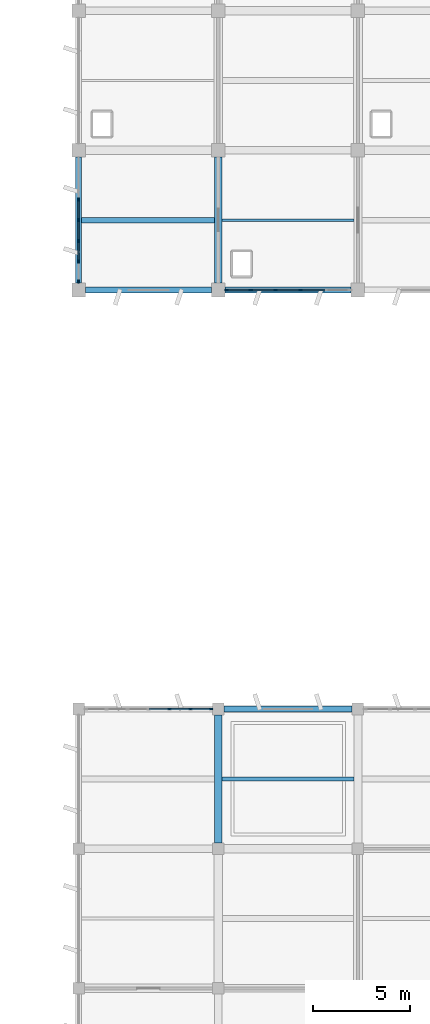
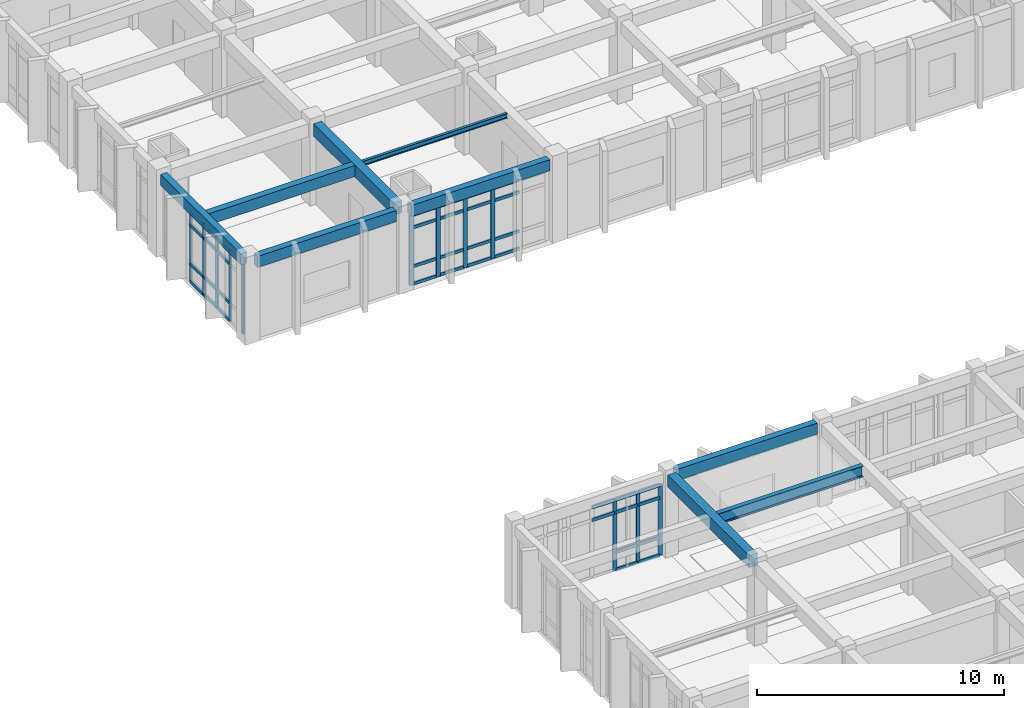
# One storey, part 10 of 70: 52 members, 7 beams, 3 elements without a shape of their own.
"""IFC4 building model written with IfcOpenShell, lengths in metres."""

from ifc_helpers import new_model, si_unit, direction, frame, origin, origin_2d, place, context, subcontext, project, spatial, rectangle, i_section, extrude, material, layer, layer_set, material_profile, profile_set, type_object, element, aggregate, save


model = new_model("IFC4")

# Units and contexts
model_context = context("Model", 3, precision=1e-05, world=origin(), true_north=direction((0.0, 1.0)))
body_context = subcontext(model_context, "Body", "Model", "MODEL_VIEW")
ifc_project = project(units=[si_unit("LENGTHUNIT", "METRE"), si_unit("AREAUNIT", "SQUARE_METRE"), si_unit("VOLUMEUNIT", "CUBIC_METRE"), si_unit("PLANEANGLEUNIT", "RADIAN"), si_unit("MASSUNIT", "GRAM", prefix="KILO")], contexts=[model_context])

# Site, building, storey
site_placement = place(None, origin())
site = spatial("IfcSite", under=ifc_project, at=site_placement, CompositionType="ELEMENT")
building_placement = place(site_placement, origin())
building = spatial("IfcBuilding", under=site, at=building_placement, Name="Kavelor Marine Aquarium", CompositionType="ELEMENT")
storey_placement = place(building_placement, frame((0.0, 0.0, 9.179931640625)))
storey = spatial("IfcBuildingStorey", under=building, at=storey_placement, Name="L02", CompositionType="ELEMENT", Elevation=9.179931640625)

# Beams
ifc_material_1 = material(Name="Concrete C40/50", Category="concrete")
ifc_material_profile_1 = material_profile(ifc_material_1, rectangle(XDim=0.39990234375, YDim=0.60009765625, at=origin_2d()), Name="RC-BM 400x600")
ifc_profile_set_1 = profile_set([ifc_material_profile_1], Name="Concrete C40/50")
beam_type_1 = type_object("IfcBeamType", Name="BM-B4", PredefinedType="BEAM", material=ifc_profile_set_1)
beam_1_placement = place(storey_placement, frame((125.60009765625, 24.699951171875, 3.780029296875), z_axis=(0.0, 1.0, 0.0), x_axis=(-1.0, 0.0, 0.0)))
element("IfcBeam", 1, at=beam_1_placement, inside=storey, type_object=beam_type_1, Name="bm:y:L02:L03:17_03", PredefinedType="BEAM", context=body_context, shape_type="SweptSolid", body=[
    extrude(rectangle(XDim=0.39990234375, YDim=0.60009765625, at=origin_2d()), origin(), (0.0, 0.0, 1.0), 6.60009765625),
])
beam_2_placement = place(storey_placement, frame((125.60009765625, 53.550048828125, 3.739990234375), z_axis=(0.0, 1.0, 0.0), x_axis=(-1.0, 0.0, 0.0)))
element("IfcBeam", 2, at=beam_2_placement, inside=storey, type_object=beam_type_1, Name="bm:y:L02:L03:17_07", PredefinedType="BEAM", context=body_context, shape_type="SweptSolid", body=[
    extrude(rectangle(XDim=0.39990234375, YDim=0.60009765625, at=origin_2d()), origin(), (0.0, 0.0, 1.0), 6.5),
])
ifc_material_2 = material(Name="Concrete C40/50", Category="concrete")
ifc_material_profile_2 = material_profile(ifc_material_2, rectangle(XDim=0.300048828125, YDim=0.550048828125, at=origin_2d()), Name="RC-JS 300x550")
ifc_profile_set_2 = profile_set([ifc_material_profile_2], Name="Concrete C40/50")
beam_type_2 = type_object("IfcBeamType", Name="BM-JS2", PredefinedType="JOIST", material=ifc_profile_set_2)
beam_3_placement = place(storey_placement, frame((118.550048828125, 56.800048828125, 3.76513671875), z_axis=(1.0, 0.0, 0.0), x_axis=(0.0, 1.0, 0.0)))
element("IfcBeam", 3, at=beam_3_placement, inside=storey, type_object=beam_type_2, Name="js:L02:L03:16_07", PredefinedType="JOIST", context=body_context, shape_type="SweptSolid", body=[
    extrude(rectangle(XDim=0.300048828125, YDim=0.550048828125, at=origin_2d()), origin(), (0.0, 0.0, 1.0), 6.849853515625),
])
ifc_material_3 = material(Name="Concrete C40/50", Category="concrete")
ifc_material_profile_3 = material_profile(ifc_material_3, rectangle(XDim=0.300048828125, YDim=0.550048828125, at=origin_2d()), Name="RC-SP 300x550")
ifc_profile_set_3 = profile_set([ifc_material_profile_3], Name="Concrete C40/50")
beam_type_3 = type_object("IfcBeamType", Name="BM-SP2", PredefinedType="SPANDREL", material=ifc_profile_set_3)
beam_4_placement = place(storey_placement, frame((118.75, 53.199951171875, 3.76513671875), z_axis=(1.0, 0.0, 0.0), x_axis=(0.0, 1.0, 0.0)))
element("IfcBeam", 4, at=beam_4_placement, inside=storey, type_object=beam_type_3, Name="bm:x:L02:L03:16_07", PredefinedType="SPANDREL", context=body_context, shape_type="SweptSolid", body=[
    extrude(rectangle(XDim=0.300048828125, YDim=0.550048828125, at=origin_2d()), origin(), (0.0, 0.0, 1.0), 6.5),
])
beam_5_placement = place(storey_placement, frame((125.89990234375, 31.60009765625, 3.80517578125), z_axis=(1.0, 0.0, 0.0), x_axis=(0.0, 1.0, 0.0)))
element("IfcBeam", 5, at=beam_5_placement, inside=storey, type_object=beam_type_3, Name="bm:x:L02:L03:17_04", PredefinedType="SPANDREL", context=body_context, shape_type="SweptSolid", body=[
    extrude(rectangle(XDim=0.300048828125, YDim=0.550048828125, at=origin_2d()), origin(), (0.0, 0.0, 1.0), 6.60009765625),
])
for number, where, z_axis, x_axis, name in (
    (6, (125.949951171875, 53.199951171875, 3.76513671875), (1.0, 0.0, 0.0), (0.0, 1.0, 0.0), "bm:x:L02:L03:17_07"),
    (7, (118.39990234375, 53.550048828125, 3.76513671875), (0.0, 1.0, 0.0), (-1.0, 0.0, 0.0), "bm:y:L02:L03:16_07"),
):
    element("IfcBeam", number, at=place(storey_placement, frame(where, z_axis=z_axis, x_axis=x_axis)), inside=storey, type_object=beam_type_3, Name=name, PredefinedType="SPANDREL", context=body_context, shape_type="SweptSolid", body=[
        extrude(rectangle(XDim=0.300048828125, YDim=0.550048828125, at=origin_2d()), origin(), (0.0, 0.0, 1.0), 6.5),
    ])

# Curtain wall, members
ifc_material_4 = material(Name="Thermally Broken Aluminium and Low-E Glass", Category="aluminium")
ifc_layer_1 = layer(ifc_material_4, 0.172119140625)
ifc_layer_set_1 = layer_set([ifc_layer_1], Name="CW-SYS4")
curtain_wall_type_1 = type_object("IfcCurtainWallType", Name="CW-SYS4", PredefinedType="USERDEFINED", material=ifc_layer_set_1)
curtain_wall_1_placement = place(storey_placement, origin())
curtain_wall_1 = element("IfcCurtainWall", 8, at=curtain_wall_1_placement, inside=storey, type_object=curtain_wall_type_1, Name="cw:y:L02:16_07", ObjectType="Curtain Wall", PredefinedType="USERDEFINED")
ifc_material_5 = material(Name="Anodised Aluminium Alloy 6063-T6", Category="aluminium")
ifc_material_profile_4 = material_profile(ifc_material_5, rectangle(XDim=0.074951171875, YDim=0.179931640625, at=origin_2d()), Name="CW-MUL 75x180")
ifc_profile_set_4 = profile_set([ifc_material_profile_4], Name="Anodised Aluminium Alloy 6063-T6")
member_type_1 = type_object("IfcMemberType", Name="CWM-1", PredefinedType="MULLION", material=ifc_profile_set_4)
member_1_placement = place(storey_placement, frame((118.39990234375, 57.868408203125, 0.0), z_axis=(0.0, 0.0, 1.0), x_axis=(1.0, 0.0, 0.0)))
member_1 = element("IfcMember", 9, at=member_1_placement, type_object=member_type_1, Name="CW04 mullion 3", PredefinedType="MULLION", context=body_context, shape_type="SweptSolid", body=[
    extrude(rectangle(XDim=0.074951171875, YDim=0.179931640625, at=origin_2d()), origin(), (0.0, 0.0, 1.0), 3.47998046875),
])
member_2_placement = place(storey_placement, frame((118.39990234375, 56.800048828125, 0.0), z_axis=(0.0, 0.0, 1.0), x_axis=(1.0, 0.0, 0.0)))
member_2 = element("IfcMember", 10, at=member_2_placement, type_object=member_type_1, Name="CW04 mullion 4", PredefinedType="MULLION", context=body_context, shape_type="SweptSolid", body=[
    extrude(rectangle(XDim=0.074951171875, YDim=0.179931640625, at=origin_2d()), origin(), (0.0, 0.0, 1.0), 3.47998046875),
])
member_3_placement = place(storey_placement, frame((118.39990234375, 55.731689453125, 0.0), z_axis=(0.0, 0.0, 1.0), x_axis=(1.0, 0.0, 0.0)))
member_3 = element("IfcMember", 11, at=member_3_placement, type_object=member_type_1, Name="CW04 mullion 5", PredefinedType="MULLION", context=body_context, shape_type="SweptSolid", body=[
    extrude(rectangle(XDim=0.074951171875, YDim=0.179931640625, at=origin_2d()), origin(), (0.0, 0.0, 1.0), 3.47998046875),
])
member_4_placement = place(storey_placement, frame((118.39990234375, 54.663330078125, 0.0), z_axis=(0.0, 0.0, 1.0), x_axis=(1.0, 0.0, 0.0)))
member_4 = element("IfcMember", 12, at=member_4_placement, type_object=member_type_1, Name="CW04 mullion 6", PredefinedType="MULLION", context=body_context, shape_type="SweptSolid", body=[
    extrude(rectangle(XDim=0.074951171875, YDim=0.179931640625, at=origin_2d()), origin(), (0.0, 0.0, 1.0), 3.47998046875),
])
member_5_placement = place(storey_placement, frame((118.39990234375, 53.632568359375, 0.0), z_axis=(0.0, 0.0, 1.0), x_axis=(1.0, 0.0, 0.0)))
member_5 = element("IfcMember", 13, at=member_5_placement, type_object=member_type_1, Name="CW04 mullion 7", PredefinedType="MULLION", context=body_context, shape_type="SweptSolid", body=[
    extrude(rectangle(XDim=0.074951171875, YDim=0.179931640625, at=origin_2d()), origin(), (0.0, 0.0, 1.0), 3.47998046875),
])

ifc_material_6 = material(Name="Thermally Broken Aluminium and Low-E Glass", Category="aluminium")
ifc_layer_2 = layer(ifc_material_6, 0.179931640625)
ifc_layer_set_2 = layer_set([ifc_layer_2], Name="CW-SYS5")
curtain_wall_type_2 = type_object("IfcCurtainWallType", Name="CW-SYS5", PredefinedType="USERDEFINED", material=ifc_layer_set_2)
curtain_wall_2_placement = place(storey_placement, origin())
curtain_wall_2 = element("IfcCurtainWall", 14, at=curtain_wall_2_placement, inside=storey, type_object=curtain_wall_type_2, Name="cw:x:L02:16_04", ObjectType="Curtain Wall", PredefinedType="USERDEFINED")
ifc_material_7 = material(Name="Anodised Aluminium Alloy 6063-T6", Category="aluminium")
ifc_material_profile_5 = material_profile(ifc_material_7, rectangle(XDim=0.080078125, YDim=0.18505859375, at=origin_2d()), Name="CW-MUL 80x185")
ifc_profile_set_5 = profile_set([ifc_material_profile_5], Name="Anodised Aluminium Alloy 6063-T6")
member_type_2 = type_object("IfcMemberType", Name="CWM-2", PredefinedType="MULLION", material=ifc_profile_set_5)
member_6_placement = place(storey_placement, frame((123.0849609375, 31.60009765625, 0.0), z_axis=(0.0, 0.0, 1.0), x_axis=(0.0, 1.0, 0.0)))
member_6 = element("IfcMember", 15, at=member_6_placement, type_object=member_type_2, Name="CW05 mullion 5", PredefinedType="MULLION", context=body_context, shape_type="SweptSolid", body=[
    extrude(rectangle(XDim=0.080078125, YDim=0.18505859375, at=origin_2d()), origin(), (0.0, 0.0, 1.0), 3.52001953125),
])
member_7_placement = place(storey_placement, frame((124.169921875, 31.60009765625, 0.0), z_axis=(0.0, 0.0, 1.0), x_axis=(0.0, 1.0, 0.0)))
member_7 = element("IfcMember", 16, at=member_7_placement, type_object=member_type_2, Name="CW05 mullion 6", PredefinedType="MULLION", context=body_context, shape_type="SweptSolid", body=[
    extrude(rectangle(XDim=0.080078125, YDim=0.18505859375, at=origin_2d()), origin(), (0.0, 0.0, 1.0), 3.52001953125),
])
member_8_placement = place(storey_placement, frame((125.222412109375, 31.60009765625, 0.0), z_axis=(0.0, 0.0, 1.0), x_axis=(0.0, 1.0, 0.0)))
member_8 = element("IfcMember", 17, at=member_8_placement, type_object=member_type_2, Name="CW05 mullion 7", PredefinedType="MULLION", context=body_context, shape_type="SweptSolid", body=[
    extrude(rectangle(XDim=0.080078125, YDim=0.18505859375, at=origin_2d()), origin(), (0.0, 0.0, 1.0), 3.52001953125),
])

ifc_material_8 = material(Name="Thermally Broken Aluminium and Low-E Glass", Category="aluminium")
ifc_layer_3 = layer(ifc_material_8, 0.18798828125)
ifc_layer_set_3 = layer_set([ifc_layer_3], Name="CW-SYS6")
curtain_wall_type_3 = type_object("IfcCurtainWallType", Name="CW-SYS6", PredefinedType="USERDEFINED", material=ifc_layer_set_3)
curtain_wall_3_placement = place(storey_placement, origin())
curtain_wall_3 = element("IfcCurtainWall", 18, at=curtain_wall_3_placement, inside=storey, type_object=curtain_wall_type_3, Name="cw:x:L02:17_07", ObjectType="Curtain Wall", PredefinedType="USERDEFINED")
ifc_material_9 = material(Name="Anodised Aluminium Alloy 6063-T6", Category="aluminium")
ifc_material_profile_6 = material_profile(ifc_material_9, rectangle(XDim=0.0849609375, YDim=0.18994140625, at=origin_2d()), Name="CW-MUL 85x190")
ifc_profile_set_6 = profile_set([ifc_material_profile_6], Name="Anodised Aluminium Alloy 6063-T6")
member_type_3 = type_object("IfcMemberType", Name="CWM-3", PredefinedType="MULLION", material=ifc_profile_set_6)
member_9_placement = place(storey_placement, frame((129.841064453125, 53.199951171875, 0.0), z_axis=(0.0, 0.0, 1.0), x_axis=(0.0, -1.0, 0.0)))
member_9 = element("IfcMember", 19, at=member_9_placement, type_object=member_type_3, Name="CW06 mullion 3", PredefinedType="MULLION", context=body_context, shape_type="SweptSolid", body=[
    extrude(rectangle(XDim=0.0849609375, YDim=0.18994140625, at=origin_2d()), origin(), (0.0, 0.0, 1.0), 3.47998046875),
])
member_10_placement = place(storey_placement, frame((128.55908203125, 53.199951171875, 0.0), z_axis=(0.0, 0.0, 1.0), x_axis=(0.0, -1.0, 0.0)))
member_10 = element("IfcMember", 20, at=member_10_placement, type_object=member_type_3, Name="CW06 mullion 4", PredefinedType="MULLION", context=body_context, shape_type="SweptSolid", body=[
    extrude(rectangle(XDim=0.0849609375, YDim=0.18994140625, at=origin_2d()), origin(), (0.0, 0.0, 1.0), 3.47998046875),
])
member_11_placement = place(storey_placement, frame((127.277099609375, 53.199951171875, 0.0), z_axis=(0.0, 0.0, 1.0), x_axis=(0.0, -1.0, 0.0)))
member_11 = element("IfcMember", 21, at=member_11_placement, type_object=member_type_3, Name="CW06 mullion 5", PredefinedType="MULLION", context=body_context, shape_type="SweptSolid", body=[
    extrude(rectangle(XDim=0.0849609375, YDim=0.18994140625, at=origin_2d()), origin(), (0.0, 0.0, 1.0), 3.47998046875),
])
member_12_placement = place(storey_placement, frame((126.02490234375, 53.199951171875, 0.0), z_axis=(0.0, 0.0, 1.0), x_axis=(0.0, -1.0, 0.0)))
member_12 = element("IfcMember", 22, at=member_12_placement, type_object=member_type_3, Name="CW06 mullion 6", PredefinedType="MULLION", context=body_context, shape_type="SweptSolid", body=[
    extrude(rectangle(XDim=0.0849609375, YDim=0.18994140625, at=origin_2d()), origin(), (0.0, 0.0, 1.0), 3.47998046875),
])
ifc_material_10 = material(Name="Anodised Aluminium Alloy 6063-T6", Category="aluminium")
ifc_material_profile_7 = material_profile(ifc_material_10, rectangle(XDim=0.074951171875, YDim=0.14990234375, at=origin_2d()), Name="CW-TRN 75x150")
ifc_profile_set_7 = profile_set([ifc_material_profile_7], Name="Anodised Aluminium Alloy 6063-T6")
member_type_4 = type_object("IfcMemberType", Name="CWT-1", PredefinedType="USERDEFINED", material=ifc_profile_set_7)
member_13_placement = place(storey_placement, frame((131.093017578125, 53.199951171875, 0.03759765625), z_axis=(-1.0, 0.0, 0.0), x_axis=(0.0, -1.0, 0.0)))
member_13 = element("IfcMember", 23, at=member_13_placement, type_object=member_type_4, Name="CW06 transom 2.1", ObjectType="TRANSOM", PredefinedType="USERDEFINED", context=body_context, shape_type="SweptSolid", body=[
    extrude(rectangle(XDim=0.074951171875, YDim=0.14990234375, at=origin_2d()), origin(), (0.0, 0.0, 1.0), 1.221923828125),
])
member_14_placement = place(storey_placement, frame((131.093017578125, 53.199951171875, 0.900146484375), z_axis=(-1.0, 0.0, 0.0), x_axis=(0.0, -1.0, 0.0)))
member_14 = element("IfcMember", 24, at=member_14_placement, type_object=member_type_4, Name="CW06 transom 2.2", ObjectType="TRANSOM", PredefinedType="USERDEFINED", context=body_context, shape_type="SweptSolid", body=[
    extrude(rectangle(XDim=0.074951171875, YDim=0.14990234375, at=origin_2d()), origin(), (0.0, 0.0, 1.0), 1.221923828125),
])
member_15_placement = place(storey_placement, frame((131.093017578125, 53.199951171875, 2.830078125), z_axis=(-1.0, 0.0, 0.0), x_axis=(0.0, -1.0, 0.0)))
member_15 = element("IfcMember", 25, at=member_15_placement, type_object=member_type_4, Name="CW06 transom 2.3", ObjectType="TRANSOM", PredefinedType="USERDEFINED", context=body_context, shape_type="SweptSolid", body=[
    extrude(rectangle(XDim=0.074951171875, YDim=0.14990234375, at=origin_2d()), origin(), (0.0, 0.0, 1.0), 1.221923828125),
])
member_16_placement = place(storey_placement, frame((131.093017578125, 53.199951171875, 3.442626953125), z_axis=(-1.0, 0.0, 0.0), x_axis=(0.0, -1.0, 0.0)))
member_16 = element("IfcMember", 26, at=member_16_placement, type_object=member_type_4, Name="CW06 transom 2.4", ObjectType="TRANSOM", PredefinedType="USERDEFINED", context=body_context, shape_type="SweptSolid", body=[
    extrude(rectangle(XDim=0.074951171875, YDim=0.14990234375, at=origin_2d()), origin(), (0.0, 0.0, 1.0), 1.221923828125),
])
member_17_placement = place(storey_placement, frame((129.81103515625, 53.199951171875, 0.03759765625), z_axis=(-1.0, 0.0, 0.0), x_axis=(0.0, -1.0, 0.0)))
member_17 = element("IfcMember", 27, at=member_17_placement, type_object=member_type_4, Name="CW06 transom 3.1", ObjectType="TRANSOM", PredefinedType="USERDEFINED", context=body_context, shape_type="SweptSolid", body=[
    extrude(rectangle(XDim=0.074951171875, YDim=0.14990234375, at=origin_2d()), origin(), (0.0, 0.0, 1.0), 1.221923828125),
])
member_18_placement = place(storey_placement, frame((129.81103515625, 53.199951171875, 0.900146484375), z_axis=(-1.0, 0.0, 0.0), x_axis=(0.0, -1.0, 0.0)))
member_18 = element("IfcMember", 28, at=member_18_placement, type_object=member_type_4, Name="CW06 transom 3.2", ObjectType="TRANSOM", PredefinedType="USERDEFINED", context=body_context, shape_type="SweptSolid", body=[
    extrude(rectangle(XDim=0.074951171875, YDim=0.14990234375, at=origin_2d()), origin(), (0.0, 0.0, 1.0), 1.221923828125),
])
member_19_placement = place(storey_placement, frame((129.81103515625, 53.199951171875, 2.830078125), z_axis=(-1.0, 0.0, 0.0), x_axis=(0.0, -1.0, 0.0)))
member_19 = element("IfcMember", 29, at=member_19_placement, type_object=member_type_4, Name="CW06 transom 3.3", ObjectType="TRANSOM", PredefinedType="USERDEFINED", context=body_context, shape_type="SweptSolid", body=[
    extrude(rectangle(XDim=0.074951171875, YDim=0.14990234375, at=origin_2d()), origin(), (0.0, 0.0, 1.0), 1.221923828125),
])
member_20_placement = place(storey_placement, frame((129.81103515625, 53.199951171875, 3.442626953125), z_axis=(-1.0, 0.0, 0.0), x_axis=(0.0, -1.0, 0.0)))
member_20 = element("IfcMember", 30, at=member_20_placement, type_object=member_type_4, Name="CW06 transom 3.4", ObjectType="TRANSOM", PredefinedType="USERDEFINED", context=body_context, shape_type="SweptSolid", body=[
    extrude(rectangle(XDim=0.074951171875, YDim=0.14990234375, at=origin_2d()), origin(), (0.0, 0.0, 1.0), 1.221923828125),
])
member_21_placement = place(storey_placement, frame((128.529052734375, 53.199951171875, 0.03759765625), z_axis=(-1.0, 0.0, 0.0), x_axis=(0.0, -1.0, 0.0)))
member_21 = element("IfcMember", 31, at=member_21_placement, type_object=member_type_4, Name="CW06 transom 4.1", ObjectType="TRANSOM", PredefinedType="USERDEFINED", context=body_context, shape_type="SweptSolid", body=[
    extrude(rectangle(XDim=0.074951171875, YDim=0.14990234375, at=origin_2d()), origin(), (0.0, 0.0, 1.0), 1.22216796875),
])
member_22_placement = place(storey_placement, frame((128.529052734375, 53.199951171875, 0.900146484375), z_axis=(-1.0, 0.0, 0.0), x_axis=(0.0, -1.0, 0.0)))
member_22 = element("IfcMember", 32, at=member_22_placement, type_object=member_type_4, Name="CW06 transom 4.2", ObjectType="TRANSOM", PredefinedType="USERDEFINED", context=body_context, shape_type="SweptSolid", body=[
    extrude(rectangle(XDim=0.074951171875, YDim=0.14990234375, at=origin_2d()), origin(), (0.0, 0.0, 1.0), 1.22216796875),
])
member_23_placement = place(storey_placement, frame((128.529052734375, 53.199951171875, 2.830078125), z_axis=(-1.0, 0.0, 0.0), x_axis=(0.0, -1.0, 0.0)))
member_23 = element("IfcMember", 33, at=member_23_placement, type_object=member_type_4, Name="CW06 transom 4.3", ObjectType="TRANSOM", PredefinedType="USERDEFINED", context=body_context, shape_type="SweptSolid", body=[
    extrude(rectangle(XDim=0.074951171875, YDim=0.14990234375, at=origin_2d()), origin(), (0.0, 0.0, 1.0), 1.22216796875),
])
member_24_placement = place(storey_placement, frame((128.529052734375, 53.199951171875, 3.442626953125), z_axis=(-1.0, 0.0, 0.0), x_axis=(0.0, -1.0, 0.0)))
member_24 = element("IfcMember", 34, at=member_24_placement, type_object=member_type_4, Name="CW06 transom 4.4", ObjectType="TRANSOM", PredefinedType="USERDEFINED", context=body_context, shape_type="SweptSolid", body=[
    extrude(rectangle(XDim=0.074951171875, YDim=0.14990234375, at=origin_2d()), origin(), (0.0, 0.0, 1.0), 1.22216796875),
])
member_25_placement = place(storey_placement, frame((127.2470703125, 53.199951171875, 0.03759765625), z_axis=(-1.0, 0.0, 0.0), x_axis=(0.0, -1.0, 0.0)))
member_25 = element("IfcMember", 35, at=member_25_placement, type_object=member_type_4, Name="CW06 transom 5.1", ObjectType="TRANSOM", PredefinedType="USERDEFINED", context=body_context, shape_type="SweptSolid", body=[
    extrude(rectangle(XDim=0.074951171875, YDim=0.14990234375, at=origin_2d()), origin(), (0.0, 0.0, 1.0), 1.192138671875),
])
member_26_placement = place(storey_placement, frame((127.2470703125, 53.199951171875, 0.900146484375), z_axis=(-1.0, 0.0, 0.0), x_axis=(0.0, -1.0, 0.0)))
member_26 = element("IfcMember", 36, at=member_26_placement, type_object=member_type_4, Name="CW06 transom 5.2", ObjectType="TRANSOM", PredefinedType="USERDEFINED", context=body_context, shape_type="SweptSolid", body=[
    extrude(rectangle(XDim=0.074951171875, YDim=0.14990234375, at=origin_2d()), origin(), (0.0, 0.0, 1.0), 1.192138671875),
])
member_27_placement = place(storey_placement, frame((127.2470703125, 53.199951171875, 2.830078125), z_axis=(-1.0, 0.0, 0.0), x_axis=(0.0, -1.0, 0.0)))
member_27 = element("IfcMember", 37, at=member_27_placement, type_object=member_type_4, Name="CW06 transom 5.3", ObjectType="TRANSOM", PredefinedType="USERDEFINED", context=body_context, shape_type="SweptSolid", body=[
    extrude(rectangle(XDim=0.074951171875, YDim=0.14990234375, at=origin_2d()), origin(), (0.0, 0.0, 1.0), 1.192138671875),
])
member_28_placement = place(storey_placement, frame((127.2470703125, 53.199951171875, 3.442626953125), z_axis=(-1.0, 0.0, 0.0), x_axis=(0.0, -1.0, 0.0)))
member_28 = element("IfcMember", 38, at=member_28_placement, type_object=member_type_4, Name="CW06 transom 5.4", ObjectType="TRANSOM", PredefinedType="USERDEFINED", context=body_context, shape_type="SweptSolid", body=[
    extrude(rectangle(XDim=0.074951171875, YDim=0.14990234375, at=origin_2d()), origin(), (0.0, 0.0, 1.0), 1.192138671875),
])
aggregate(curtain_wall_3, [member_9, member_10, member_11, member_12, member_13, member_14, member_15, member_16, member_17, member_18, member_19, member_20, member_21, member_22, member_23, member_24, member_25, member_26, member_27, member_28])

# Member
ifc_material_11 = material(Name="Anodised Aluminium Alloy 6063-T6", Category="aluminium")
ifc_material_profile_8 = material_profile(ifc_material_11, rectangle(XDim=0.0849609375, YDim=0.159912109375, at=origin_2d()), Name="CW-TRN 85x160")
ifc_profile_set_8 = profile_set([ifc_material_profile_8], Name="Anodised Aluminium Alloy 6063-T6")
member_type_5 = type_object("IfcMemberType", Name="CWT-3", PredefinedType="USERDEFINED", material=ifc_profile_set_8)
member_29_placement = place(storey_placement, frame((122.032470703125, 31.60009765625, 2.8701171875), z_axis=(1.0, 0.0, 0.0), x_axis=(0.0, 1.0, 0.0)))
member_29 = element("IfcMember", 39, at=member_29_placement, type_object=member_type_5, Name="CW05 transom 4.3", ObjectType="TRANSOM", PredefinedType="USERDEFINED", context=body_context, shape_type="SweptSolid", body=[
    extrude(rectangle(XDim=0.0849609375, YDim=0.159912109375, at=origin_2d()), origin(), (0.0, 0.0, 1.0), 1.02001953125),
])

member_30_placement = place(storey_placement, frame((122.032470703125, 31.60009765625, 3.489990234375), z_axis=(1.0, 0.0, 0.0), x_axis=(0.0, 1.0, 0.0)))
member_30 = element("IfcMember", 40, at=member_30_placement, type_object=member_type_5, Name="CW05 transom 4.4", ObjectType="TRANSOM", PredefinedType="USERDEFINED", context=body_context, shape_type="SweptSolid", body=[
    extrude(rectangle(XDim=0.0849609375, YDim=0.159912109375, at=origin_2d()), origin(), (0.0, 0.0, 1.0), 1.02001953125),
])

member_31_placement = place(storey_placement, frame((123.117431640625, 31.60009765625, 0.030029296875), z_axis=(1.0, 0.0, 0.0), x_axis=(0.0, 1.0, 0.0)))
member_31 = element("IfcMember", 41, at=member_31_placement, type_object=member_type_5, Name="CW05 transom 5.1", ObjectType="TRANSOM", PredefinedType="USERDEFINED", context=body_context, shape_type="SweptSolid", body=[
    extrude(rectangle(XDim=0.0849609375, YDim=0.159912109375, at=origin_2d()), origin(), (0.0, 0.0, 1.0), 1.02001953125),
])

member_32_placement = place(storey_placement, frame((123.117431640625, 31.60009765625, 0.900146484375), z_axis=(1.0, 0.0, 0.0), x_axis=(0.0, 1.0, 0.0)))
member_32 = element("IfcMember", 42, at=member_32_placement, type_object=member_type_5, Name="CW05 transom 5.2", ObjectType="TRANSOM", PredefinedType="USERDEFINED", context=body_context, shape_type="SweptSolid", body=[
    extrude(rectangle(XDim=0.0849609375, YDim=0.159912109375, at=origin_2d()), origin(), (0.0, 0.0, 1.0), 1.02001953125),
])

member_33_placement = place(storey_placement, frame((123.117431640625, 31.60009765625, 2.8701171875), z_axis=(1.0, 0.0, 0.0), x_axis=(0.0, 1.0, 0.0)))
member_33 = element("IfcMember", 43, at=member_33_placement, type_object=member_type_5, Name="CW05 transom 5.3", ObjectType="TRANSOM", PredefinedType="USERDEFINED", context=body_context, shape_type="SweptSolid", body=[
    extrude(rectangle(XDim=0.0849609375, YDim=0.159912109375, at=origin_2d()), origin(), (0.0, 0.0, 1.0), 1.02001953125),
])

member_34_placement = place(storey_placement, frame((123.117431640625, 31.60009765625, 3.489990234375), z_axis=(1.0, 0.0, 0.0), x_axis=(0.0, 1.0, 0.0)))
member_34 = element("IfcMember", 44, at=member_34_placement, type_object=member_type_5, Name="CW05 transom 5.4", ObjectType="TRANSOM", PredefinedType="USERDEFINED", context=body_context, shape_type="SweptSolid", body=[
    extrude(rectangle(XDim=0.0849609375, YDim=0.159912109375, at=origin_2d()), origin(), (0.0, 0.0, 1.0), 1.02001953125),
])

member_35_placement = place(storey_placement, frame((124.202392578125, 31.60009765625, 0.030029296875), z_axis=(1.0, 0.0, 0.0), x_axis=(0.0, 1.0, 0.0)))
member_35 = element("IfcMember", 45, at=member_35_placement, type_object=member_type_5, Name="CW05 transom 6.1", ObjectType="TRANSOM", PredefinedType="USERDEFINED", context=body_context, shape_type="SweptSolid", body=[
    extrude(rectangle(XDim=0.0849609375, YDim=0.159912109375, at=origin_2d()), origin(), (0.0, 0.0, 1.0), 0.987548828125),
])

member_36_placement = place(storey_placement, frame((124.202392578125, 31.60009765625, 0.900146484375), z_axis=(1.0, 0.0, 0.0), x_axis=(0.0, 1.0, 0.0)))
member_36 = element("IfcMember", 46, at=member_36_placement, type_object=member_type_5, Name="CW05 transom 6.2", ObjectType="TRANSOM", PredefinedType="USERDEFINED", context=body_context, shape_type="SweptSolid", body=[
    extrude(rectangle(XDim=0.0849609375, YDim=0.159912109375, at=origin_2d()), origin(), (0.0, 0.0, 1.0), 0.987548828125),
])

member_37_placement = place(storey_placement, frame((124.202392578125, 31.60009765625, 2.8701171875), z_axis=(1.0, 0.0, 0.0), x_axis=(0.0, 1.0, 0.0)))
member_37 = element("IfcMember", 47, at=member_37_placement, type_object=member_type_5, Name="CW05 transom 6.3", ObjectType="TRANSOM", PredefinedType="USERDEFINED", context=body_context, shape_type="SweptSolid", body=[
    extrude(rectangle(XDim=0.0849609375, YDim=0.159912109375, at=origin_2d()), origin(), (0.0, 0.0, 1.0), 0.987548828125),
])

member_38_placement = place(storey_placement, frame((124.202392578125, 31.60009765625, 3.489990234375), z_axis=(1.0, 0.0, 0.0), x_axis=(0.0, 1.0, 0.0)))
member_38 = element("IfcMember", 48, at=member_38_placement, type_object=member_type_5, Name="CW05 transom 6.4", ObjectType="TRANSOM", PredefinedType="USERDEFINED", context=body_context, shape_type="SweptSolid", body=[
    extrude(rectangle(XDim=0.0849609375, YDim=0.159912109375, at=origin_2d()), origin(), (0.0, 0.0, 1.0), 0.987548828125),
])

aggregate(curtain_wall_2, [member_6, member_7, member_8, member_29, member_30, member_31, member_32, member_33, member_34, member_35, member_36, member_37, member_38])

member_39_placement = place(storey_placement, frame((118.39990234375, 57.830810546875, 0.030029296875), z_axis=(0.0, -1.0, 0.0), x_axis=(1.0, 0.0, 0.0)))
member_39 = element("IfcMember", 49, at=member_39_placement, type_object=member_type_5, Name="CW04 transom 3.1", ObjectType="TRANSOM", PredefinedType="USERDEFINED", context=body_context, shape_type="SweptSolid", body=[
    extrude(rectangle(XDim=0.0849609375, YDim=0.159912109375, at=origin_2d()), origin(), (0.0, 0.0, 1.0), 0.993408203125),
])

member_40_placement = place(storey_placement, frame((118.39990234375, 57.830810546875, 0.900146484375), z_axis=(0.0, -1.0, 0.0), x_axis=(1.0, 0.0, 0.0)))
member_40 = element("IfcMember", 50, at=member_40_placement, type_object=member_type_5, Name="CW04 transom 3.2", ObjectType="TRANSOM", PredefinedType="USERDEFINED", context=body_context, shape_type="SweptSolid", body=[
    extrude(rectangle(XDim=0.0849609375, YDim=0.159912109375, at=origin_2d()), origin(), (0.0, 0.0, 1.0), 0.993408203125),
])

member_41_placement = place(storey_placement, frame((118.39990234375, 57.830810546875, 2.830078125), z_axis=(0.0, -1.0, 0.0), x_axis=(1.0, 0.0, 0.0)))
member_41 = element("IfcMember", 51, at=member_41_placement, type_object=member_type_5, Name="CW04 transom 3.3", ObjectType="TRANSOM", PredefinedType="USERDEFINED", context=body_context, shape_type="SweptSolid", body=[
    extrude(rectangle(XDim=0.0849609375, YDim=0.159912109375, at=origin_2d()), origin(), (0.0, 0.0, 1.0), 0.993408203125),
])

member_42_placement = place(storey_placement, frame((118.39990234375, 57.830810546875, 3.449951171875), z_axis=(0.0, -1.0, 0.0), x_axis=(1.0, 0.0, 0.0)))
member_42 = element("IfcMember", 52, at=member_42_placement, type_object=member_type_5, Name="CW04 transom 3.4", ObjectType="TRANSOM", PredefinedType="USERDEFINED", context=body_context, shape_type="SweptSolid", body=[
    extrude(rectangle(XDim=0.0849609375, YDim=0.159912109375, at=origin_2d()), origin(), (0.0, 0.0, 1.0), 0.993408203125),
])

member_43_placement = place(storey_placement, frame((118.39990234375, 56.762451171875, 0.030029296875), z_axis=(0.0, -1.0, 0.0), x_axis=(1.0, 0.0, 0.0)))
member_43 = element("IfcMember", 53, at=member_43_placement, type_object=member_type_5, Name="CW04 transom 4.1", ObjectType="TRANSOM", PredefinedType="USERDEFINED", context=body_context, shape_type="SweptSolid", body=[
    extrude(rectangle(XDim=0.0849609375, YDim=0.159912109375, at=origin_2d()), origin(), (0.0, 0.0, 1.0), 0.9931640625),
])

member_44_placement = place(storey_placement, frame((118.39990234375, 56.762451171875, 0.900146484375), z_axis=(0.0, -1.0, 0.0), x_axis=(1.0, 0.0, 0.0)))
member_44 = element("IfcMember", 54, at=member_44_placement, type_object=member_type_5, Name="CW04 transom 4.2", ObjectType="TRANSOM", PredefinedType="USERDEFINED", context=body_context, shape_type="SweptSolid", body=[
    extrude(rectangle(XDim=0.0849609375, YDim=0.159912109375, at=origin_2d()), origin(), (0.0, 0.0, 1.0), 0.9931640625),
])

member_45_placement = place(storey_placement, frame((118.39990234375, 56.762451171875, 2.830078125), z_axis=(0.0, -1.0, 0.0), x_axis=(1.0, 0.0, 0.0)))
member_45 = element("IfcMember", 55, at=member_45_placement, type_object=member_type_5, Name="CW04 transom 4.3", ObjectType="TRANSOM", PredefinedType="USERDEFINED", context=body_context, shape_type="SweptSolid", body=[
    extrude(rectangle(XDim=0.0849609375, YDim=0.159912109375, at=origin_2d()), origin(), (0.0, 0.0, 1.0), 0.9931640625),
])

member_46_placement = place(storey_placement, frame((118.39990234375, 56.762451171875, 3.449951171875), z_axis=(0.0, -1.0, 0.0), x_axis=(1.0, 0.0, 0.0)))
member_46 = element("IfcMember", 56, at=member_46_placement, type_object=member_type_5, Name="CW04 transom 4.4", ObjectType="TRANSOM", PredefinedType="USERDEFINED", context=body_context, shape_type="SweptSolid", body=[
    extrude(rectangle(XDim=0.0849609375, YDim=0.159912109375, at=origin_2d()), origin(), (0.0, 0.0, 1.0), 0.9931640625),
])

member_47_placement = place(storey_placement, frame((118.39990234375, 55.694091796875, 0.030029296875), z_axis=(0.0, -1.0, 0.0), x_axis=(1.0, 0.0, 0.0)))
member_47 = element("IfcMember", 57, at=member_47_placement, type_object=member_type_5, Name="CW04 transom 5.1", ObjectType="TRANSOM", PredefinedType="USERDEFINED", context=body_context, shape_type="SweptSolid", body=[
    extrude(rectangle(XDim=0.0849609375, YDim=0.159912109375, at=origin_2d()), origin(), (0.0, 0.0, 1.0), 0.9931640625),
])

member_48_placement = place(storey_placement, frame((118.39990234375, 55.694091796875, 0.900146484375), z_axis=(0.0, -1.0, 0.0), x_axis=(1.0, 0.0, 0.0)))
member_48 = element("IfcMember", 58, at=member_48_placement, type_object=member_type_5, Name="CW04 transom 5.2", ObjectType="TRANSOM", PredefinedType="USERDEFINED", context=body_context, shape_type="SweptSolid", body=[
    extrude(rectangle(XDim=0.0849609375, YDim=0.159912109375, at=origin_2d()), origin(), (0.0, 0.0, 1.0), 0.9931640625),
])

member_49_placement = place(storey_placement, frame((118.39990234375, 55.694091796875, 2.830078125), z_axis=(0.0, -1.0, 0.0), x_axis=(1.0, 0.0, 0.0)))
member_49 = element("IfcMember", 59, at=member_49_placement, type_object=member_type_5, Name="CW04 transom 5.3", ObjectType="TRANSOM", PredefinedType="USERDEFINED", context=body_context, shape_type="SweptSolid", body=[
    extrude(rectangle(XDim=0.0849609375, YDim=0.159912109375, at=origin_2d()), origin(), (0.0, 0.0, 1.0), 0.9931640625),
])

member_50_placement = place(storey_placement, frame((118.39990234375, 55.694091796875, 3.449951171875), z_axis=(0.0, -1.0, 0.0), x_axis=(1.0, 0.0, 0.0)))
member_50 = element("IfcMember", 60, at=member_50_placement, type_object=member_type_5, Name="CW04 transom 5.4", ObjectType="TRANSOM", PredefinedType="USERDEFINED", context=body_context, shape_type="SweptSolid", body=[
    extrude(rectangle(XDim=0.0849609375, YDim=0.159912109375, at=origin_2d()), origin(), (0.0, 0.0, 1.0), 0.9931640625),
])

aggregate(curtain_wall_1, [member_1, member_2, member_3, member_4, member_5, member_39, member_40, member_41, member_42, member_43, member_44, member_45, member_46, member_47, member_48, member_49, member_50])

# Members
ifc_material_12 = material(Name="Steel S355", Category="steel")
ifc_material_profile_9 = material_profile(ifc_material_12, i_section(OverallWidth=0.2099609375, OverallDepth=0.550048828125, WebThickness=0.010986328125, FlangeThickness=0.01708984375, FilletRadius=0.02392578125, at=origin_2d()), Name="IPE 550")
ifc_profile_set_9 = profile_set([ifc_material_profile_9], Name="Steel S355")
member_type_6 = type_object("IfcMemberType", Name="PR-SJ1", PredefinedType="PURLIN", material=ifc_profile_set_9)
member_51_placement = place(storey_placement, frame((125.800048828125, 28.0, 3.80517578125), z_axis=(1.0, 0.0, 0.0), x_axis=(0.0, 1.0, 0.0)))
element("IfcMember", 61, at=member_51_placement, inside=storey, type_object=member_type_6, Name="js:L02:L03:17_03", PredefinedType="PURLIN", context=body_context, shape_type="SweptSolid", body=[
    extrude(i_section(OverallWidth=0.2099609375, OverallDepth=0.550048828125, WebThickness=0.010986328125, FlangeThickness=0.01708984375, FilletRadius=0.02392578125, at=origin_2d()), origin(), (0.0, 0.0, 1.0), 6.800048828125),
])
ifc_material_13 = material(Name="Steel S355", Category="steel")
ifc_material_profile_10 = material_profile(ifc_material_13, i_section(OverallWidth=0.1201171875, OverallDepth=0.239990234375, WebThickness=0.006103515625, FlangeThickness=0.009765625, FilletRadius=0.014892578125, at=origin_2d()), Name="IPE 240")
ifc_profile_set_10 = profile_set([ifc_material_profile_10], Name="Steel S355")
member_type_7 = type_object("IfcMemberType", Name="PR-SJ5", PredefinedType="PURLIN", material=ifc_profile_set_10)
member_52_placement = place(storey_placement, frame((125.800048828125, 56.800048828125, 3.920166015625), z_axis=(1.0, 0.0, 0.0), x_axis=(0.0, 1.0, 0.0)))
element("IfcMember", 62, at=member_52_placement, inside=storey, type_object=member_type_7, Name="js:L02:L03:17_07", PredefinedType="PURLIN", context=body_context, shape_type="SweptSolid", body=[
    extrude(i_section(OverallWidth=0.1201171875, OverallDepth=0.239990234375, WebThickness=0.006103515625, FlangeThickness=0.009765625, FilletRadius=0.014892578125, at=origin_2d()), origin(), (0.0, 0.0, 1.0), 6.800048828125),
])

save(model, "model.ifc")
